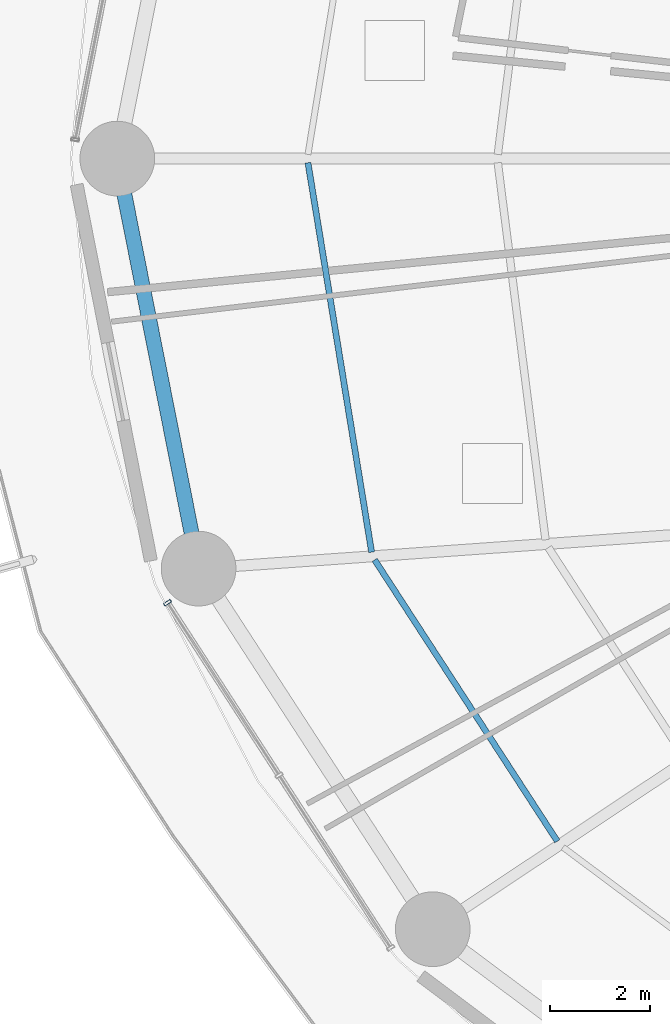
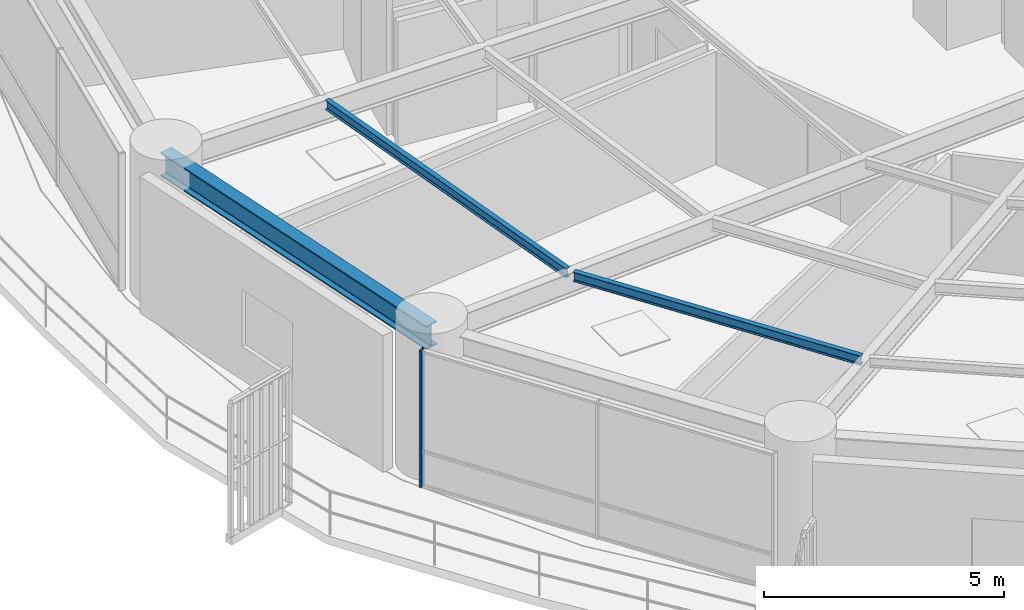
# One storey, part 4 of 32: 3 beams, 1 member, 1 element without a shape of its own.
"""IFC4 building model written with IfcOpenShell, lengths in metres."""

from ifc_helpers import new_model, si_unit, direction, frame, origin, origin_2d, place, context, subcontext, project, spatial, hollow_rectangle, i_section, extrude, material, layer, layer_set, material_profile, profile_set, type_object, element, aggregate, save


model = new_model("IFC4")

# Units and contexts
model_context = context("Model", 3, precision=1e-05, world=origin(), true_north=direction((0.0, 1.0)))
body_context = subcontext(model_context, "Body", "Model", "MODEL_VIEW")
ifc_project = project(units=[si_unit("LENGTHUNIT", "METRE"), si_unit("AREAUNIT", "SQUARE_METRE"), si_unit("VOLUMEUNIT", "CUBIC_METRE"), si_unit("PLANEANGLEUNIT", "RADIAN"), si_unit("MASSUNIT", "GRAM", prefix="KILO")], contexts=[model_context])

# Site, building, storey
site_placement = place(None, origin())
site = spatial("IfcSite", under=ifc_project, at=site_placement, CompositionType="ELEMENT")
building_placement = place(site_placement, origin())
building = spatial("IfcBuilding", under=site, at=building_placement, Name="Kelanora Arch Commons", CompositionType="ELEMENT")
storey_placement = place(building_placement, frame((0.0, 0.0, 52.5)))
storey = spatial("IfcBuildingStorey", under=building, at=storey_placement, Name="L13", CompositionType="ELEMENT", Elevation=52.5)

# Beams
ifc_material_1 = material(Name="Steel S355", Category="steel")
ifc_material_profile_1 = material_profile(ifc_material_1, i_section(OverallWidth=0.1201171875, OverallDepth=0.239990234375, WebThickness=0.006103515625, FlangeThickness=0.009765625, FilletRadius=0.014892578125, at=origin_2d()), Name="IPE240")
ifc_profile_set_1 = profile_set([ifc_material_profile_1], Name="Steel S355")
beam_type_1 = type_object("IfcBeamType", Name="BM-JST-02", PredefinedType="JOIST", material=ifc_profile_set_1)
beam_1_placement = place(storey_placement, frame((50.749755859375, 57.916015625, 3.3701171875), z_axis=(0.161400737199, -0.986888951216, 0.0), x_axis=(0.986888951216, 0.161400737199, 0.0)))
element("IfcBeam", 1, at=beam_1_placement, inside=storey, type_object=beam_type_1, Name="Secondary Chord Joist BJC-18 L13", PredefinedType="JOIST", context=body_context, shape_type="SweptSolid", body=[
    extrude(i_section(OverallWidth=0.1201171875, OverallDepth=0.239990234375, WebThickness=0.006103515625, FlangeThickness=0.009765625, FilletRadius=0.014892578125, at=origin_2d()), origin(), (0.0, 0.0, 1.0), 7.9248046875),
])
beam_2_placement = place(storey_placement, frame((52.0888671875, 49.940185546875, 3.3701171875), z_axis=(0.544550165372, -0.838728273873, 0.0), x_axis=(0.838728273873, 0.544550165372, 0.0)))
element("IfcBeam", 2, at=beam_2_placement, inside=storey, type_object=beam_type_1, Name="Secondary Chord Joist BJC-20 L13", PredefinedType="JOIST", context=body_context, shape_type="SweptSolid", body=[
    extrude(i_section(OverallWidth=0.1201171875, OverallDepth=0.239990234375, WebThickness=0.006103515625, FlangeThickness=0.009765625, FilletRadius=0.014892578125, at=origin_2d()), origin(), (0.0, 0.0, 1.0), 6.738037109375),
])
ifc_material_profile_2 = material_profile(ifc_material_1, i_section(OverallWidth=0.300048828125, OverallDepth=0.60009765625, WebThickness=0.015380859375, FlangeThickness=0.030029296875, FilletRadius=0.027099609375, at=origin_2d()), Name="HEB600")
ifc_profile_set_2 = profile_set([ifc_material_profile_2], Name="Steel S355")
beam_type_2 = type_object("IfcBeamType", Name="BM-SPN-Z1", PredefinedType="SPANDREL", material=ifc_profile_set_2)
beam_3_placement = place(storey_placement, frame((46.919921875, 58.0, 3.18994140625), z_axis=(0.194499827256, -0.980902552345, 0.0), x_axis=(0.980902552345, 0.194499827256, 0.0)))
element("IfcBeam", 3, at=beam_3_placement, inside=storey, type_object=beam_type_2, Name="Perimeter Spandrel Beam BS-18 L13", PredefinedType="SPANDREL", context=body_context, shape_type="SweptSolid", body=[
    extrude(i_section(OverallWidth=0.300048828125, OverallDepth=0.60009765625, WebThickness=0.015380859375, FlangeThickness=0.030029296875, FilletRadius=0.027099609375, at=origin_2d()), origin(), (0.0, 0.0, 1.0), 8.396240234375),
])

# Curtain wall, member
ifc_material_2 = material(Name="Terracotta ceramic-fritted low-E glass and aluminium", Category="masonry")
ifc_layer = layer(ifc_material_2, 0.159912109375)
ifc_layer_set = layer_set([ifc_layer], Name="Terracotta ceramic-fritted low-E glass and aluminium")
curtain_wall_type = type_object("IfcCurtainWallType", Name="CW-SYS-01", PredefinedType="NOTDEFINED", material=ifc_layer_set)
curtain_wall_placement = place(storey_placement, origin())
curtain_wall = element("IfcCurtainWall", 4, at=curtain_wall_placement, inside=storey, type_object=curtain_wall_type, Name="Unitised Curtain Wall L13-B10", PredefinedType="NOTDEFINED")
ifc_material_3 = material(Name="Powder-coated aluminium terracotta", Category="masonry")
ifc_material_profile_3 = material_profile(ifc_material_3, hollow_rectangle(XDim=0.159912109375, YDim=0.06005859375, WallThickness=0.0048828125, InnerFilletRadius=0.0048828125, OuterFilletRadius=0.010009765625, at=origin_2d()), Name="CWM160x60")
ifc_profile_set_3 = profile_set([ifc_material_profile_3], Name="Powder-coated aluminium terracotta")
member_type = type_object("IfcMemberType", Name="CWM-STD", PredefinedType="MULLION", material=ifc_profile_set_3)
member_placement = place(storey_placement, frame((47.927734375, 49.07958984375, 0.0), z_axis=(0.0, 0.0, 1.0), x_axis=(0.83972982332, 0.543004441812, 0.0)))
member = element("IfcMember", 5, at=member_placement, type_object=member_type, Name="CW-01 mullion 1", PredefinedType="MULLION", context=body_context, shape_type="SweptSolid", body=[
    extrude(hollow_rectangle(XDim=0.159912109375, YDim=0.06005859375, WallThickness=0.0048828125, InnerFilletRadius=0.0048828125, OuterFilletRadius=0.010009765625, at=origin_2d()), origin(), (0.0, 0.0, 1.0), 3.47509765625),
])
aggregate(curtain_wall, [member])

save(model, "model.ifc")
